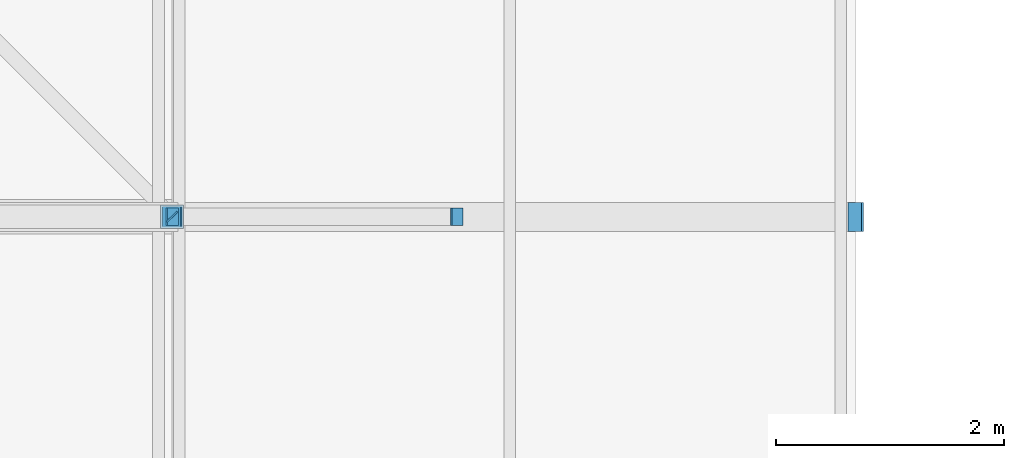
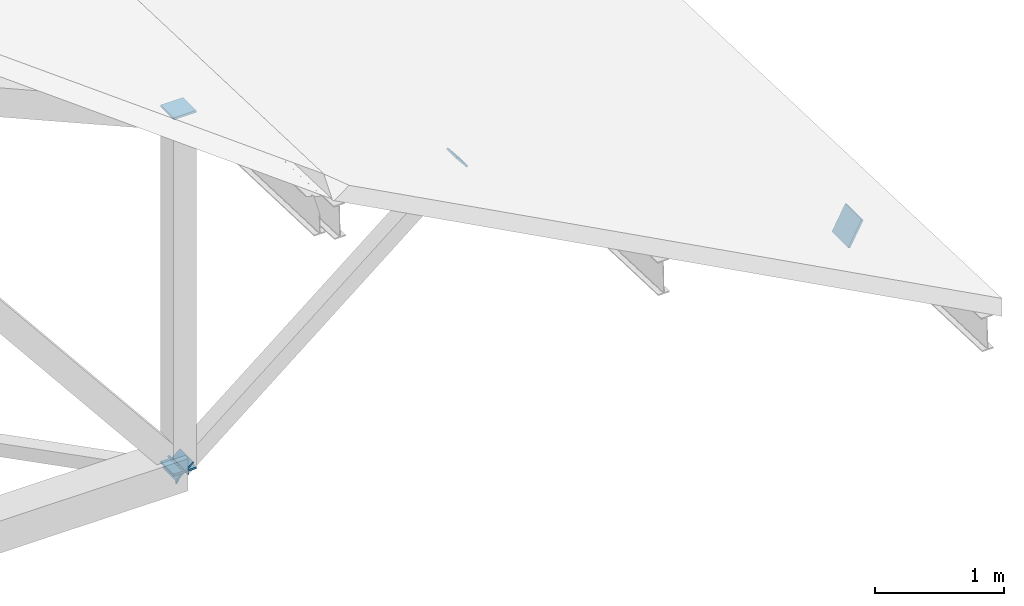
# One storey, part 51 of 76: 7 discrete accessories.
"""IFC4 building model written with IfcOpenShell, lengths in metres."""

from ifc_helpers import new_model, si_unit, direction, frame, origin, origin_2d, place, context, subcontext, project, spatial, rectangle, extrude, material, element, save


model = new_model("IFC4")

# Units and contexts
model_context = context("Model", 3, precision=1e-05, world=origin(), true_north=direction((0.0, 1.0)))
body_context = subcontext(model_context, "Body", "Model", "MODEL_VIEW")
ifc_project = project(units=[si_unit("LENGTHUNIT", "METRE"), si_unit("AREAUNIT", "SQUARE_METRE"), si_unit("VOLUMEUNIT", "CUBIC_METRE"), si_unit("PLANEANGLEUNIT", "RADIAN"), si_unit("MASSUNIT", "GRAM", prefix="KILO")], contexts=[model_context])

# Site, building, storey
site_placement = place(None, origin())
site = spatial("IfcSite", under=ifc_project, at=site_placement, CompositionType="ELEMENT")
building_placement = place(site_placement, origin())
building = spatial("IfcBuilding", under=site, at=building_placement, Name="Hlaing Beacon Police Headquarters", CompositionType="ELEMENT")
storey_placement = place(building_placement, frame((0.0, 0.0, 18.89990234375)))
storey = spatial("IfcBuildingStorey", under=building, at=storey_placement, Name="L04", CompositionType="ELEMENT", Elevation=18.89990234375)

# Discrete accessories
ifc_material = material(Name="Steel ASTM A572 Grade 50", Category="steel")
for number, where, z_axis, x_axis, name in (
    (1, (92.39990234375, 33.60009765625, -4.33740234375), (0.0, 0.0, -1.0), (1.0, 0.0, 0.0), "Gusset plate GP-241"),
    (2, (92.39990234375, 33.60009765625, -0.979248046875), (0.0, 0.0, 1.0), (1.0, 0.0, 0.0), "Gusset plate GP-242"),
):
    element("IfcDiscreteAccessory", number, at=place(storey_placement, frame(where, z_axis=z_axis, x_axis=x_axis)), inside=storey, material=ifc_material, Name=name, PredefinedType="BRACKET", context=body_context, shape_type="SweptSolid", body=[
        extrude(rectangle(XDim=0.203125, YDim=0.203125, at=origin_2d()), origin(), (0.0, 0.0, 1.0), 0.02001953125),
    ])
discrete_accessory_1_placement = place(storey_placement, frame((92.394775390625, 33.60009765625, -4.34130859375), z_axis=(0.629086713526, 0.0, -0.777335131629), x_axis=(0.0, 1.0, 0.0)))
element("IfcDiscreteAccessory", 3, at=discrete_accessory_1_placement, inside=storey, material=ifc_material, Name="Gusset plate GP-258", PredefinedType="BRACKET", context=body_context, shape_type="SweptSolid", body=[
    extrude(rectangle(XDim=0.203125, YDim=0.203125, at=origin_2d()), origin(), (0.0, 0.0, 1.0), 0.01611328125),
])
for number, where, z_axis, x_axis, name in (
    (4, (92.406005859375, 33.60009765625, -4.34228515625), (-0.774816252663, 0.0, -0.632186503027), (0.0, -1.0, 0.0), "Gusset plate GP-261"),
    (5, (94.893798828125, 33.60009765625, -2.312744140625), (0.774816252663, 0.0, 0.632186503027), (0.0, 1.0, 0.0), "Gusset plate GP-262"),
):
    element("IfcDiscreteAccessory", number, at=place(storey_placement, frame(where, z_axis=z_axis, x_axis=x_axis)), inside=storey, material=ifc_material, Name=name, PredefinedType="BRACKET", context=body_context, shape_type="SweptSolid", body=[
        extrude(rectangle(XDim=0.15234375, YDim=0.15234375, at=origin_2d()), origin(), (0.0, 0.0, 1.0), 0.01611328125),
    ])
discrete_accessory_2_placement = place(storey_placement, frame((92.3955078125, 33.6044921875, -4.4208984375), z_axis=(0.707106781187, -0.707106781187, 0.0), x_axis=(0.707106781187, 0.707106781187, 0.0)))
element("IfcDiscreteAccessory", 6, at=discrete_accessory_2_placement, inside=storey, material=ifc_material, Name="Gusset plate GP-398", PredefinedType="BRACKET", context=body_context, shape_type="SweptSolid", body=[
    extrude(rectangle(XDim=0.126953125, YDim=0.126953125, at=origin_2d()), origin(), (0.0, 0.0, 1.0), 0.011962890625),
])
discrete_accessory_3_placement = place(storey_placement, frame((98.39111328125, 33.60009765625, -4.17626953125), z_axis=(0.881639912586, 0.0, -0.47192273153), x_axis=(0.0, 1.0, 0.0)))
element("IfcDiscreteAccessory", 7, at=discrete_accessory_3_placement, inside=storey, material=ifc_material, Name="Chord end plate CE-001", PredefinedType="BRACKET", context=body_context, shape_type="SweptSolid", body=[
    extrude(rectangle(XDim=0.25390625, YDim=0.25390625, at=origin_2d()), origin(), (0.0, 0.0, 1.0), 0.02001953125),
])

save(model, "model.ifc")
